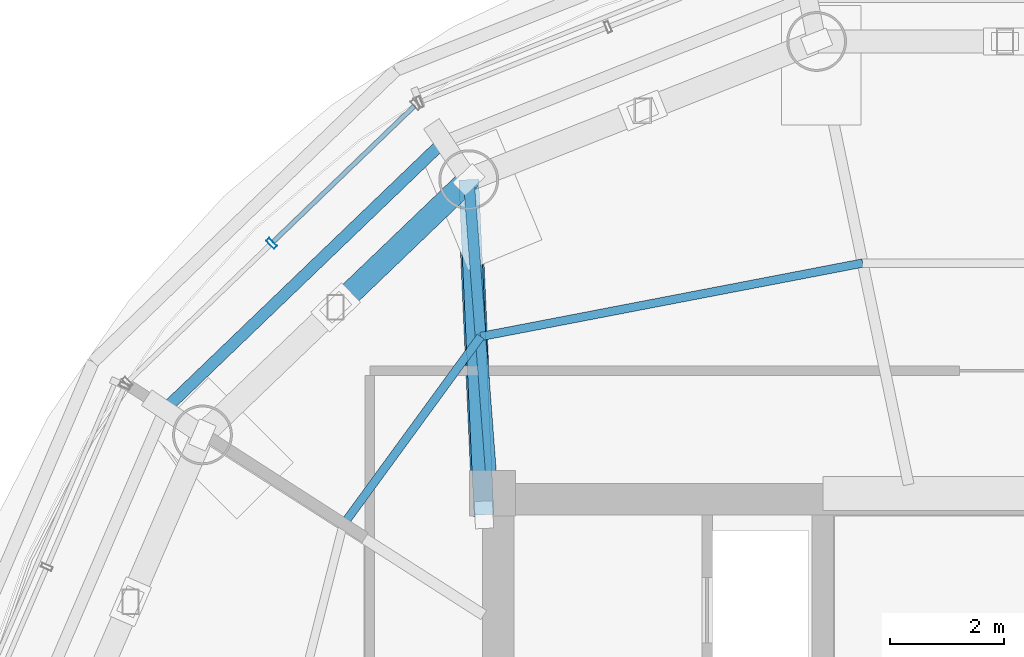
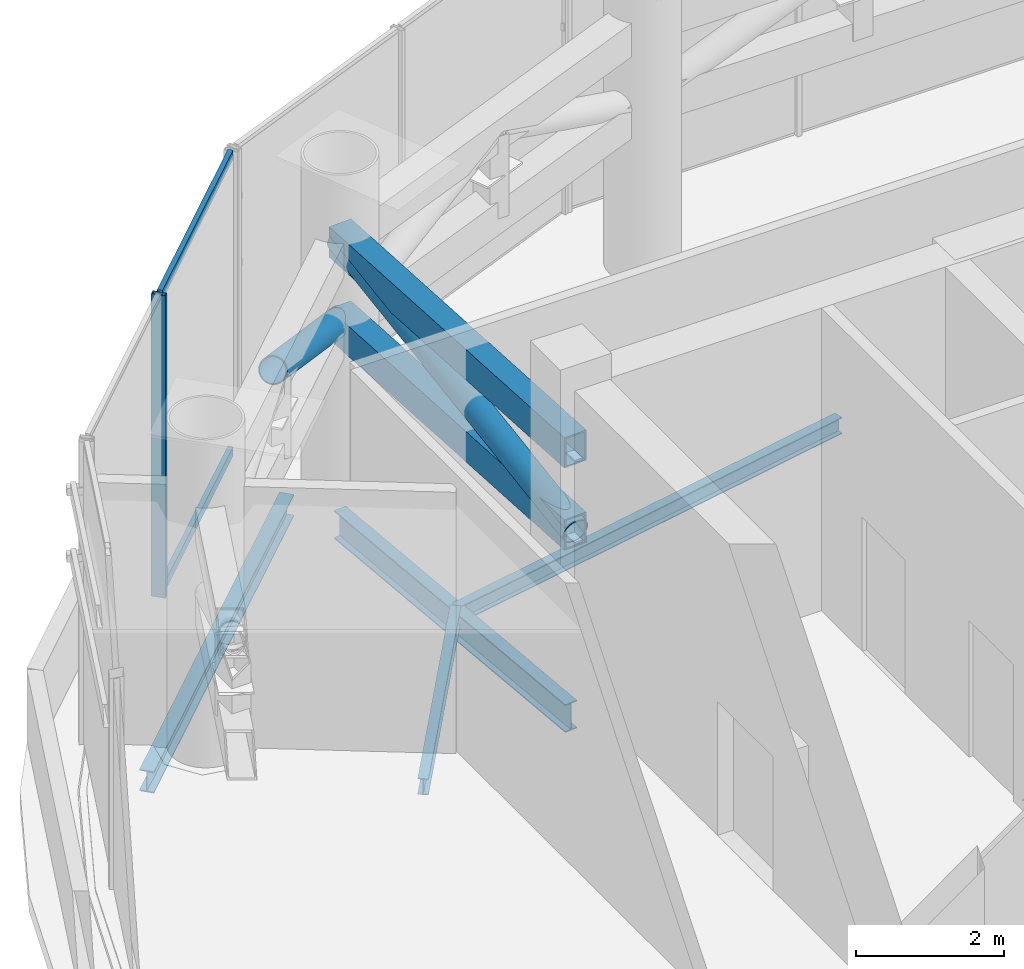
# One storey, part 8 of 21: 7 members, 4 beams, 1 element without a shape of its own.
"""IFC4 building model written with IfcOpenShell, lengths in metres."""

from ifc_helpers import new_model, si_unit, direction, frame, origin, origin_2d, place, context, subcontext, project, spatial, hollow_rectangle, hollow_circle, i_section, extrude, source, transform, mapped, material, material_profile, profile_set, type_object, element, aggregate, save


model = new_model("IFC4")

# Units and contexts
model_context = context("Model", 3, precision=1e-05, world=origin(), true_north=direction((-0.2419218956, 0.970295726276)))
body_context = subcontext(model_context, "Body", "Model", "MODEL_VIEW")
ifc_project = project(units=[si_unit("LENGTHUNIT", "METRE"), si_unit("AREAUNIT", "SQUARE_METRE"), si_unit("VOLUMEUNIT", "CUBIC_METRE"), si_unit("PLANEANGLEUNIT", "RADIAN"), si_unit("MASSUNIT", "GRAM", prefix="KILO")], contexts=[model_context])

# Site, building, storey
site_placement = place(None, origin())
site = spatial("IfcSite", under=ifc_project, at=site_placement, CompositionType="ELEMENT")
building_placement = place(site_placement, origin())
building = spatial("IfcBuilding", under=site, at=building_placement, Name="Cobrevalo Terracotta Tower", CompositionType="ELEMENT")
storey_placement = place(building_placement, frame((0.0, 0.0, 300.699951171875)))
storey = spatial("IfcBuildingStorey", under=building, at=storey_placement, Name="L79", CompositionType="ELEMENT", Elevation=300.699951171875)

# Beams
ifc_material_1 = material(Name="Steel S355", Category="steel")
ifc_material_profile_1 = material_profile(ifc_material_1, i_section(OverallWidth=0.19091796875, OverallDepth=0.4599609375, WebThickness=0.010009765625, FlangeThickness=0.01611328125, at=origin_2d()), Name="W 460x82")
ifc_profile_set_1 = profile_set([ifc_material_profile_1], Name="Steel S355")
beam_type_1 = type_object("IfcBeamType", Name="Structural Beam W 460x82 (Steel S355)", PredefinedType="BEAM", material=ifc_profile_set_1)
beam_1_placement = place(storey_placement, frame((28.5830078125, 40.311279296875, -0.679931640625), z_axis=(0.075446616933, -0.997149842297, 0.0), x_axis=(0.997149842297, 0.075446616933, 0.0)))
element("IfcBeam", 1, at=beam_1_placement, inside=storey, type_object=beam_type_1, Name="L79 radial floor girder 06", PredefinedType="BEAM", context=body_context, shape_type="SweptSolid", body=[
    extrude(i_section(OverallWidth=0.19091796875, OverallDepth=0.4599609375, WebThickness=0.010009765625, FlangeThickness=0.01611328125, at=origin_2d()), origin(), (0.0, 0.0, 1.0), 5.527099609375),
])
ifc_material_profile_2 = material_profile(ifc_material_1, i_section(OverallWidth=0.14794921875, OverallDepth=0.26611328125, WebThickness=0.007568359375, FlangeThickness=0.012939453125, at=origin_2d()), Name="W 250x44.8")
ifc_profile_set_2 = profile_set([ifc_material_profile_2], Name="Steel S355")
beam_type_2 = type_object("IfcBeamType", Name="Structural Joist W 250x44.8 (Steel S355)", PredefinedType="JOIST", material=ifc_profile_set_2)
beam_2_placement = place(storey_placement, frame((35.50048828125, 38.846435546875, -0.5830078125), z_axis=(-0.981990640733, -0.188929567597, 0.0), x_axis=(0.188929567597, -0.981990640733, 0.0)))
element("IfcBeam", 2, at=beam_2_placement, inside=storey, type_object=beam_type_2, Name="L79 circumferential secondary floor joist 05", PredefinedType="JOIST", context=body_context, shape_type="SweptSolid", body=[
    extrude(i_section(OverallWidth=0.14794921875, OverallDepth=0.26611328125, WebThickness=0.007568359375, FlangeThickness=0.012939453125, at=origin_2d()), origin(), (0.0, 0.0, 1.0), 6.83203125),
])
beam_3_placement = place(storey_placement, frame((28.79150390625, 37.5556640625, -0.5830078125), z_axis=(-0.58960567256, -0.807691247251, 0.0), x_axis=(0.807691247251, -0.58960567256, 0.0)))
element("IfcBeam", 3, at=beam_3_placement, inside=storey, type_object=beam_type_2, Name="L79 circumferential secondary floor joist 06", PredefinedType="JOIST", context=body_context, shape_type="SweptSolid", body=[
    extrude(i_section(OverallWidth=0.14794921875, OverallDepth=0.26611328125, WebThickness=0.007568359375, FlangeThickness=0.012939453125, at=origin_2d()), origin(), (0.0, 0.0, 1.0), 4.09716796875),
])
ifc_material_profile_3 = material_profile(ifc_material_1, i_section(OverallWidth=0.205078125, OverallDepth=0.35400390625, WebThickness=0.009521484375, FlangeThickness=0.016845703125, at=origin_2d()), Name="W 360x79")
ifc_profile_set_3 = profile_set([ifc_material_profile_3], Name="Steel S355")
beam_type_3 = type_object("IfcBeamType", Name="Structural Spandrel W 360x79 (Steel S355)", PredefinedType="SPANDREL", material=ifc_profile_set_3)
beam_4_placement = place(storey_placement, frame((28.138671875, 40.9765625, -0.626953125), z_axis=(-0.721183246144, -0.692744343522, 0.0), x_axis=(0.692744343522, -0.721183246144, 0.0)))
element("IfcBeam", 4, at=beam_4_placement, inside=storey, type_object=beam_type_3, Name="L79 perimeter ring spandrel 06", PredefinedType="SPANDREL", context=body_context, shape_type="SweptSolid", body=[
    extrude(i_section(OverallWidth=0.205078125, OverallDepth=0.35400390625, WebThickness=0.009521484375, FlangeThickness=0.016845703125, at=origin_2d()), origin(), (0.0, 0.0, 1.0), 6.79052734375),
])

# Members
ifc_material_profile_4 = material_profile(ifc_material_1, hollow_circle(Radius=0.202880859375, WallThickness=0.01611328125, at=origin_2d()), Name="CHS 406x16")
ifc_profile_set_4 = profile_set([ifc_material_profile_4], Name="Steel S355")
member_type_1 = type_object("IfcMemberType", Name="Steel Brace CHS 406x16 (Steel S355)", PredefinedType="BRACE", material=ifc_profile_set_4)
shared_shape_1 = source(origin(), body_context, "Body", "SweptSolid", [
    extrude(hollow_circle(Radius=0.202880859375, WallThickness=0.01611328125, at=origin_2d()), origin(), (0.0, 0.0, 1.0), 3.50927734375),
])
member_1_placement = place(storey_placement, frame((28.5830078125, 40.311279296875, 2.650146484375), z_axis=(-0.666294981742, -0.638813879331, 0.38466586134), x_axis=(0.692064138917, -0.721836011588, 0.0)))
element("IfcMember", 5, at=member_1_placement, inside=storey, type_object=member_type_1, Name="L79 belt truss diagonal brace 06-D1", PredefinedType="BRACE", context=body_context, shape_type="MappedRepresentation", body=[
    mapped(shared_shape_1, transform((0.0, 0.0, 0.0), scale=1.0)),
])
ifc_material_profile_5 = material_profile(ifc_material_1, hollow_rectangle(XDim=0.35009765625, YDim=0.5, WallThickness=0.02197265625, at=origin_2d()), Name="RHS 500x350x22")
ifc_profile_set_5 = profile_set([ifc_material_profile_5], Name="Steel S355")
member_type_2 = type_object("IfcMemberType", Name="Steel Chord RHS 500x350x22 (Steel S355)", PredefinedType="CHORD", material=ifc_profile_set_5)
shared_shape_2 = source(origin(), body_context, "Body", "SweptSolid", [
    extrude(hollow_rectangle(XDim=0.35009765625, YDim=0.5, WallThickness=0.02197265625, at=origin_2d()), origin(), (0.0, 0.0, 1.0), 5.892333984375),
])
for number, where, z_axis, x_axis, name in (
    (6, (28.85009765625, 34.425048828125, 2.650146484375), (-0.045328722727, 0.998972125185, 0.0), (-0.998972125185, -0.045328722727, 0.0), "L79 radial outrigger bottom chord 2"),
    (7, (28.85009765625, 34.425048828125, 4.0), (-0.045328722727, 0.998972125185, 0.0), (-0.998972125185, -0.045328722727, 0.0), "L79 radial outrigger top chord 2"),
):
    element("IfcMember", number, at=place(storey_placement, frame(where, z_axis=z_axis, x_axis=x_axis)), inside=storey, type_object=member_type_2, Name=name, PredefinedType="CHORD", context=body_context, shape_type="MappedRepresentation", body=[
        mapped(shared_shape_2, transform((0.0, 0.0, 0.0), scale=1.0)),
    ])
shared_shape_3 = source(origin(), body_context, "Body", "SweptSolid", [
    extrude(hollow_circle(Radius=0.202880859375, WallThickness=0.01611328125, at=origin_2d()), origin(), (0.0, 0.0, 1.0), 6.044921875),
])
member_2_placement = place(storey_placement, frame((28.85009765625, 34.425048828125, 2.650146484375), z_axis=(-0.044184125599, 0.973747045873, 0.223303501312), x_axis=(-0.998972125185, -0.045328722727, 0.0)))
element("IfcMember", 8, at=member_2_placement, inside=storey, type_object=member_type_1, Name="L79 radial outrigger diagonal brace 2A", PredefinedType="BRACE", context=body_context, shape_type="MappedRepresentation", body=[
    mapped(shared_shape_3, transform((0.0, 0.0, 0.0), scale=1.0)),
])

# Curtain wall, members
ifc_material_2 = material(Name="Anodized aluminium", Category="aluminium")
curtain_wall_type = type_object("IfcCurtainWallType", Name="Belt-truss plant acoustic weather-louvre curtain wall CW-LV", PredefinedType="NOTDEFINED", material=ifc_material_2)
curtain_wall_placement = place(storey_placement, origin())
curtain_wall = element("IfcCurtainWall", 9, at=curtain_wall_placement, inside=storey, type_object=curtain_wall_type, Name="L79 curtain wall CW-LV-L79-S06", PredefinedType="NOTDEFINED")
ifc_material_profile_6 = material_profile(ifc_material_2, hollow_rectangle(XDim=0.074951171875, YDim=0.199951171875, WallThickness=0.0048828125, at=origin_2d()), Name="CWM 75x200")
ifc_profile_set_6 = profile_set([ifc_material_profile_6], Name="Anodized aluminium")
member_type_3 = type_object("IfcMemberType", Name="Lower/mid tower unitised mullion 75x200", PredefinedType="MULLION", material=ifc_profile_set_6)
shared_shape_4 = source(origin(), body_context, "Body", "SweptSolid", [
    extrude(hollow_rectangle(XDim=0.074951171875, YDim=0.199951171875, WallThickness=0.0048828125, at=origin_2d()), origin(), (0.0, 0.0, 1.0), 4.97998046875),
])
member_3_placement = place(storey_placement, frame((25.121337890625, 39.193115234375, 0.0), z_axis=(0.0, 0.0, 1.0), x_axis=(-0.72055111168, -0.693401828276, 0.0)))
member_3 = element("IfcMember", 10, at=member_3_placement, type_object=member_type_3, Name="CW-LV-L79-S06 vertical mullion 02", PredefinedType="MULLION", context=body_context, shape_type="MappedRepresentation", body=[
    mapped(shared_shape_4, transform((0.0, 0.0, 0.0), scale=1.0)),
])
ifc_material_profile_7 = material_profile(ifc_material_2, hollow_rectangle(XDim=0.074951171875, YDim=0.14990234375, WallThickness=0.00439453125, at=origin_2d()), Name="CWT 75x150")
ifc_profile_set_7 = profile_set([ifc_material_profile_7], Name="Anodized aluminium")
member_type_4 = type_object("IfcMemberType", Name="Tower unitised aluminium transom 75x150", PredefinedType="USERDEFINED", material=ifc_profile_set_7)
shared_shape_5 = source(origin(), body_context, "Body", "SweptSolid", [
    extrude(hollow_rectangle(XDim=0.074951171875, YDim=0.14990234375, WallThickness=0.00439453125, at=origin_2d()), origin(), (0.0, 0.0, 1.0), 3.43505859375),
])
member_4_placement = place(storey_placement, frame((27.62548828125, 41.602783203125, 0.050048828125), z_axis=(-0.7205858285, -0.693365750355, 0.0), x_axis=(0.693365750355, -0.7205858285, 0.0)))
member_4 = element("IfcMember", 11, at=member_4_placement, type_object=member_type_4, Name="CW-LV-L79-S06 transom B01-T1", ObjectType="TRANSOM", PredefinedType="USERDEFINED", context=body_context, shape_type="MappedRepresentation", body=[
    mapped(shared_shape_5, transform((0.0, 0.0, 0.0), scale=1.0)),
])
member_5_placement = place(storey_placement, frame((27.62548828125, 41.602783203125, 4.929931640625), z_axis=(-0.7205858285, -0.693365750355, 0.0), x_axis=(0.693365750355, -0.7205858285, 0.0)))
member_5 = element("IfcMember", 12, at=member_5_placement, type_object=member_type_4, Name="CW-LV-L79-S06 transom B01-T2", ObjectType="TRANSOM", PredefinedType="USERDEFINED", context=body_context, shape_type="MappedRepresentation", body=[
    mapped(shared_shape_5, transform((0.0, 0.0, 0.0), scale=1.0)),
])
aggregate(curtain_wall, [member_3, member_4, member_5])

save(model, "model.ifc")
